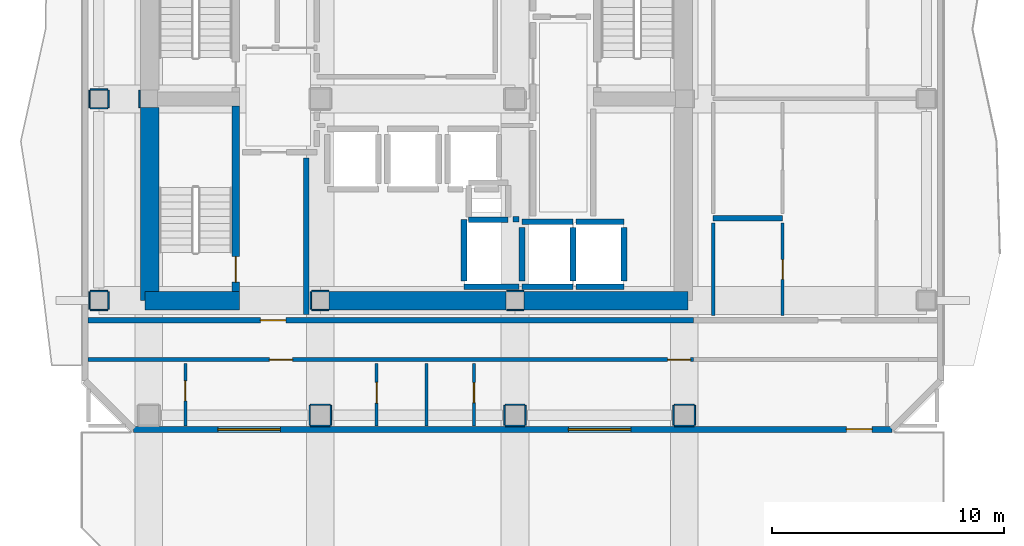
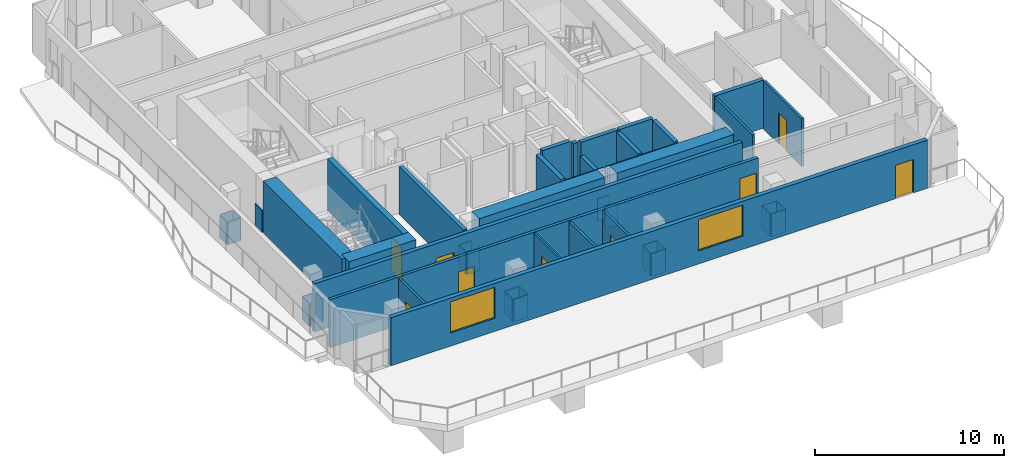
# One storey, part 2 of 9: 53 walls, 9 doors, 2 windows, 11 openings.
"""IFC4 building model written with IfcOpenShell, lengths in metres."""

from ifc_helpers import new_model, si_unit, direction, frame, frame_2d, origin, place, context, subcontext, project, spatial, rectangle, extrude, material, layer, layer_set, type_object, element, fill, save


model = new_model("IFC4")

# Units and contexts
model_context = context("Model", 3, precision=1e-05, world=origin(), true_north=direction((0.0, 1.0)))
body_context = subcontext(model_context, "Body", "Model", "MODEL_VIEW")
ifc_project = project(units=[si_unit("LENGTHUNIT", "METRE"), si_unit("AREAUNIT", "SQUARE_METRE"), si_unit("VOLUMEUNIT", "CUBIC_METRE"), si_unit("PLANEANGLEUNIT", "RADIAN"), si_unit("MASSUNIT", "GRAM", prefix="KILO")], contexts=[model_context])

# Site, building, storey
site_placement = place(None, origin())
site = spatial("IfcSite", under=ifc_project, at=site_placement, CompositionType="ELEMENT")
building_placement = place(site_placement, origin())
building = spatial("IfcBuilding", under=site, at=building_placement, Name="Solanera Arch Residences", CompositionType="ELEMENT")
storey_placement = place(building_placement, frame((0.0, 0.0, 231.280029296875)))
storey = spatial("IfcBuildingStorey", under=building, at=storey_placement, Name="L67", CompositionType="ELEMENT", Elevation=231.280029296875)

# Walls
ifc_material_1 = material(Name="Fire-Rated Gypsum Stud Partition", Category="gypsum")
ifc_layer_1 = layer(ifc_material_1, 0.06005859375)
ifc_layer_set_1 = layer_set([ifc_layer_1], Name="Fire-Rated Gypsum Stud Partition")
wall_type_1 = type_object("IfcWallType", Name="Column Acoustic Furring Wall 60", PredefinedType="PARTITIONING", material=ifc_layer_set_1)
for number, where, z_axis, x_axis, name in (
    (1, (20.425048828125, 21.593017578125, 0.0), (0.0, 0.0, 1.0), (1.0, 0.0, 0.0), "L67 Column Furring 1S"),
    (2, (20.425048828125, 22.406982421875, 0.0), (0.0, 0.0, 1.0), (1.0, 0.0, 0.0), "L67 Column Furring 1N"),
):
    element("IfcWall", number, at=place(storey_placement, frame(where, z_axis=z_axis, x_axis=x_axis)), inside=storey, type_object=wall_type_1, Name=name, PredefinedType="PARTITIONING", context=body_context, shape_type="SweptSolid", body=[
        extrude(rectangle(XDim=0.741943359375, YDim=0.06005859375, at=frame_2d((0.37109375, 0.0))), origin(), (0.0, 0.0, 1.0), 1.449951171875),
    ])
wall_1_placement = place(storey_placement, frame((20.39306640625, 21.625, 0.0), z_axis=(0.0, 0.0, 1.0), x_axis=(0.0, 1.0, 0.0)))
element("IfcWall", 3, at=wall_1_placement, inside=storey, type_object=wall_type_1, Name="L67 Column Furring 1W", PredefinedType="PARTITIONING", context=body_context, shape_type="SweptSolid", body=[
    extrude(rectangle(XDim=0.75, YDim=0.06005859375, at=frame_2d((0.375, 0.0))), origin(), (0.0, 0.0, 1.0), 1.449951171875),
])
for number, where, z_axis, x_axis, name in (
    (4, (28.8330078125, 21.593017578125, 0.0), (0.0, 0.0, 1.0), (1.0, 0.0, 0.0), "L67 Column Furring 2S"),
    (5, (28.8330078125, 22.406982421875, 0.0), (0.0, 0.0, 1.0), (1.0, 0.0, 0.0), "L67 Column Furring 2N"),
):
    element("IfcWall", number, at=place(storey_placement, frame(where, z_axis=z_axis, x_axis=x_axis)), inside=storey, type_object=wall_type_1, Name=name, PredefinedType="PARTITIONING", context=body_context, shape_type="SweptSolid", body=[
        extrude(rectangle(XDim=0.73388671875, YDim=0.06005859375, at=frame_2d((0.366943359375, 0.0))), origin(), (0.0, 0.0, 1.0), 1.449951171875),
    ])
wall_2_placement = place(storey_placement, frame((12.992919921875, 30.324951171875, 0.0), z_axis=(0.0, 0.0, 1.0), x_axis=(0.0, 1.0, 0.0)))
element("IfcWall", 6, at=wall_2_placement, inside=storey, type_object=wall_type_1, Name="L67 Column Furring 5W", PredefinedType="PARTITIONING", context=body_context, shape_type="SweptSolid", body=[
    extrude(rectangle(XDim=0.75, YDim=0.06005859375, at=frame_2d((0.375, 0.0))), origin(), (0.0, 0.0, 1.0), 1.449951171875),
])
for number, where, z_axis, x_axis, name in (
    (7, (20.375, 16.593017578125, 0.0), (0.0, 0.0, 1.0), (1.0, 0.0, 0.0), "L67 Column Furring 11S"),
    (8, (20.375, 17.507080078125, 0.0), (0.0, 0.0, 1.0), (1.0, 0.0, 0.0), "L67 Column Furring 11N"),
    (9, (20.343017578125, 16.625, 0.0), (0.0, 0.0, 1.0), (0.0, 1.0, 0.0), "L67 Column Furring 11W"),
    (10, (21.257080078125, 16.625, 0.0), (0.0, 0.0, 1.0), (0.0, 1.0, 0.0), "L67 Column Furring 11E"),
    (11, (28.77490234375, 16.593017578125, 0.0), (0.0, 0.0, 1.0), (1.0, 0.0, 0.0), "L67 Column Furring 13S"),
    (12, (28.77490234375, 17.507080078125, 0.0), (0.0, 0.0, 1.0), (1.0, 0.0, 0.0), "L67 Column Furring 13N"),
    (13, (28.742919921875, 16.625, 0.0), (0.0, 0.0, 1.0), (0.0, 1.0, 0.0), "L67 Column Furring 13W"),
    (14, (29.656982421875, 16.625, 0.0), (0.0, 0.0, 1.0), (0.0, 1.0, 0.0), "L67 Column Furring 13E"),
    (15, (36.074951171875, 16.593017578125, 0.0), (0.0, 0.0, 1.0), (1.0, 0.0, 0.0), "L67 Column Furring 15S"),
    (16, (36.074951171875, 17.507080078125, 0.0), (0.0, 0.0, 1.0), (1.0, 0.0, 0.0), "L67 Column Furring 15N"),
    (17, (36.04296875, 16.625, 0.0), (0.0, 0.0, 1.0), (0.0, 1.0, 0.0), "L67 Column Furring 15W"),
    (18, (36.95703125, 16.625, 0.0), (0.0, 0.0, 1.0), (0.0, 1.0, 0.0), "L67 Column Furring 15E"),
):
    element("IfcWall", number, at=place(storey_placement, frame(where, z_axis=z_axis, x_axis=x_axis)), inside=storey, type_object=wall_type_1, Name=name, PredefinedType="PARTITIONING", context=body_context, shape_type="SweptSolid", body=[
        extrude(rectangle(XDim=0.85009765625, YDim=0.06005859375, at=frame_2d((0.425048828125, 0.0))), origin(), (0.0, 0.0, 1.0), 1.449951171875),
    ])
for number, where, z_axis, x_axis, name in (
    (19, (10.875, 21.593017578125, 0.0), (0.0, 0.0, 1.0), (1.0, 0.0, 0.0), "L67 Column Furring 17S"),
    (20, (10.875, 22.406982421875, 0.0), (0.0, 0.0, 1.0), (1.0, 0.0, 0.0), "L67 Column Furring 17N"),
    (21, (10.843017578125, 21.625, 0.0), (0.0, 0.0, 1.0), (0.0, 1.0, 0.0), "L67 Column Furring 17W"),
    (22, (11.656982421875, 21.625, 0.0), (0.0, 0.0, 1.0), (0.0, 1.0, 0.0), "L67 Column Furring 17E"),
    (23, (10.875, 30.29296875, 0.0), (0.0, 0.0, 1.0), (1.0, 0.0, 0.0), "L67 Column Furring 19S"),
    (24, (10.875, 31.10693359375, 0.0), (0.0, 0.0, 1.0), (1.0, 0.0, 0.0), "L67 Column Furring 19N"),
    (25, (10.843017578125, 30.324951171875, 0.0), (0.0, 0.0, 1.0), (0.0, 1.0, 0.0), "L67 Column Furring 19W"),
    (26, (11.656982421875, 30.324951171875, 0.0), (0.0, 0.0, 1.0), (0.0, 1.0, 0.0), "L67 Column Furring 19E"),
):
    element("IfcWall", number, at=place(storey_placement, frame(where, z_axis=z_axis, x_axis=x_axis)), inside=storey, type_object=wall_type_1, Name=name, PredefinedType="PARTITIONING", context=body_context, shape_type="SweptSolid", body=[
        extrude(rectangle(XDim=0.75, YDim=0.06005859375, at=frame_2d((0.375, 0.0))), origin(), (0.0, 0.0, 1.0), 1.449951171875),
    ])

# Wall, opening, door
ifc_material_2 = material(Name="Concrete C40/50 (f'c = 45 MPa)", Category="concrete")
ifc_layer_2 = layer(ifc_material_2, 0.320068359375)
ifc_layer_set_2 = layer_set([ifc_layer_2], Name="Concrete C40/50 (f'c = 45 MPa)")
wall_type_2 = type_object("IfcWallType", Name="Core Shear Wall CW-320", PredefinedType="SHEAR", material=ifc_layer_set_2)
wall_3_placement = place(storey_placement, frame((17.159912109375, 22.39990234375, 0.0), z_axis=(0.0, 0.0, 1.0), x_axis=(0.0, 1.0, 0.0)))
wall_3 = element("IfcWall", 27, at=wall_3_placement, inside=storey, type_object=wall_type_2, Name="L67 Stair ST-T3 East Shear Wall", PredefinedType="SHEAR", context=body_context, shape_type="SweptSolid", body=[
    extrude(rectangle(XDim=8.0, YDim=0.320068359375, at=frame_2d((4.0, 0.0))), origin(), (0.0, 0.0, 1.0), 3.320068359375),
])
opening_1_placement = place(wall_3_placement, frame((0.389892578125, 0.0, 0.0)))
opening_1 = element("IfcOpeningElement", 28, at=opening_1_placement, cuts=wall_3, Name="Opening DF-01", PredefinedType="OPENING", context=body_context, shape_type="SweptSolid", body=[
    extrude(rectangle(XDim=1.10009765625, YDim=2.14990234375, at=frame_2d((0.550048828125, 1.074951171875))), frame((0.0, 0.169921875, 0.0), z_axis=(0.0, -1.0, 0.0), x_axis=(1.0, 0.0, 0.0)), (0.0, 0.0, 1.0), 0.3401),
])
ifc_material_3 = material(Name="Fire-Rated Architectural Hardwood", Category="wood")
door_type_1 = type_object("IfcDoorType", Name="Stair Exit Fire Door DF-01", OperationType="NOTDEFINED", PredefinedType="DOOR", material=ifc_material_3)
door_1_placement = place(opening_1_placement, origin())
door_1 = element("IfcDoor", 29, at=door_1_placement, inside=storey, type_object=door_type_1, Name="DR-L67-STAIR-ST-T3", OperationType="SINGLE_SWING_LEFT", OverallHeight=2.14990234375, OverallWidth=1.10009765625, PredefinedType="DOOR", context=body_context, shape_type="SweptSolid", body=[
    extrude(rectangle(XDim=1.10009765625, YDim=2.14990234375, at=frame_2d((0.550048828125, 1.074951171875))), frame((0.0, 0.02490234375, 0.0), z_axis=(0.0, -1.0, 0.0), x_axis=(1.0, 0.0, 0.0)), (0.0, 0.0, 1.0), 0.050048828125),
])
fill(opening_1, door_1)

# Walls
ifc_material_4 = material(Name="Concrete C40/50 (f'c = 45 MPa)", Category="concrete")
ifc_layer_3 = layer(ifc_material_4, 0.800048828125)
ifc_layer_set_3 = layer_set([ifc_layer_3], Name="Concrete C40/50 (f'c = 45 MPa)")
wall_type_3 = type_object("IfcWallType", Name="Core Shear Wall CW-800", PredefinedType="SHEAR", material=ifc_layer_set_3)
wall_4_placement = place(storey_placement, frame((13.43994140625, 22.0, 0.0), z_axis=(0.0, 0.0, 1.0), x_axis=(0.0, 1.0, 0.0)))
element("IfcWall", 30, at=wall_4_placement, inside=storey, type_object=wall_type_3, Name="L67 West Core South Shear Wall", PredefinedType="SHEAR", context=body_context, shape_type="SweptSolid", body=[
    extrude(rectangle(XDim=8.320068359375, YDim=0.800048828125, at=frame_2d((4.16015625, 0.0))), origin(), (0.0, 0.0, 1.0), 3.320068359375),
])
wall_5_placement = place(storey_placement, frame((13.239990234375, 22.0, 0.0), z_axis=(0.0, 0.0, 1.0), x_axis=(1.0, 0.0, 0.0)))
element("IfcWall", 31, at=wall_5_placement, inside=storey, type_object=wall_type_3, Name="L67 South-West Core Shear Wall", PredefinedType="SHEAR", context=body_context, shape_type="SweptSolid", body=[
    extrude(rectangle(XDim=4.080078125, YDim=0.800048828125, at=frame_2d((2.0400390625, 0.0))), origin(), (0.0, 0.0, 1.0), 3.320068359375),
])
wall_6_placement = place(storey_placement, frame((29.580078125, 22.0, 0.0), z_axis=(0.0, 0.0, 1.0), x_axis=(1.0, 0.0, 0.0)))
element("IfcWall", 32, at=wall_6_placement, inside=storey, type_object=wall_type_3, Name="L67 South-East Core Shear Wall", PredefinedType="SHEAR", context=body_context, shape_type="SweptSolid", body=[
    extrude(rectangle(XDim=7.079833984375, YDim=0.800048828125, at=frame_2d((3.5400390625, 0.0))), origin(), (0.0, 0.0, 1.0), 3.320068359375),
])
wall_7_placement = place(storey_placement, frame((21.179931640625, 22.0, 0.0), z_axis=(0.0, 0.0, 1.0), x_axis=(1.0, 0.0, 0.0)))
element("IfcWall", 33, at=wall_7_placement, inside=storey, type_object=wall_type_3, Name="L67 Central South Core Shear Wall", PredefinedType="SHEAR", context=body_context, shape_type="SweptSolid", body=[
    extrude(rectangle(XDim=7.64013671875, YDim=0.800048828125, at=frame_2d((3.820068359375, 0.0))), origin(), (0.0, 0.0, 1.0), 3.320068359375),
])

# Wall, openings, doors
ifc_material_5 = material(Name="Autoclaved Aerated Concrete Blockwork", Category="masonry")
ifc_layer_4 = layer(ifc_material_5, 0.179931640625)
ifc_layer_set_4 = layer_set([ifc_layer_4], Name="Autoclaved Aerated Concrete Blockwork")
wall_type_4 = type_object("IfcWallType", Name="Corridor Fire Partition 180", PredefinedType="PARTITIONING", material=ifc_layer_set_4)
wall_8_placement = place(storey_placement, frame((10.787109375, 19.449951171875, 0.0), z_axis=(0.0, 0.0, 1.0), x_axis=(1.0, 0.0, 0.0)))
wall_8 = element("IfcWall", 34, at=wall_8_placement, inside=storey, type_object=wall_type_4, Name="L67 Interior Partition H8 1", PredefinedType="PARTITIONING", context=body_context, shape_type="SweptSolid", body=[
    extrude(rectangle(XDim=26.101806640625, YDim=0.179931640625, at=frame_2d((13.05078125, 0.0))), origin(), (0.0, 0.0, 1.0), 3.099853515625),
])
opening_2_placement = place(wall_8_placement, frame((7.81689453125, 0.0, 0.0)))
opening_2 = element("IfcOpeningElement", 35, at=opening_2_placement, cuts=wall_8, Name="Opening DI-01", PredefinedType="OPENING", context=body_context, shape_type="SweptSolid", body=[
    extrude(rectangle(XDim=1.0, YDim=2.14990234375, at=frame_2d((0.5, 1.074951171875))), frame((0.0, 0.10009765625, 0.0), z_axis=(0.0, -1.0, 0.0), x_axis=(1.0, 0.0, 0.0)), (0.0, 0.0, 1.0), 0.1999),
])
opening_3_placement = place(wall_8_placement, frame((24.991943359375, 0.0, 0.0)))
opening_3 = element("IfcOpeningElement", 36, at=opening_3_placement, cuts=wall_8, Name="Opening DI-01", PredefinedType="OPENING", context=body_context, shape_type="SweptSolid", body=[
    extrude(rectangle(XDim=1.0, YDim=2.14990234375, at=frame_2d((0.5, 1.074951171875))), frame((0.0, 0.10009765625, 0.0), z_axis=(0.0, -1.0, 0.0), x_axis=(1.0, 0.0, 0.0)), (0.0, 0.0, 1.0), 0.1999),
])
ifc_material_6 = material(Name="Fire-Rated Architectural Hardwood", Category="wood")
door_type_2 = type_object("IfcDoorType", Name="Unit Entrance Fire Door DI-01", OperationType="NOTDEFINED", PredefinedType="DOOR", material=ifc_material_6)
door_2_placement = place(opening_2_placement, origin())
door_2 = element("IfcDoor", 37, at=door_2_placement, inside=storey, type_object=door_type_2, Name="DR-L67-IN-014", OperationType="SINGLE_SWING_RIGHT", OverallHeight=2.14990234375, OverallWidth=1.0, PredefinedType="DOOR", context=body_context, shape_type="SweptSolid", body=[
    extrude(rectangle(XDim=1.0, YDim=2.14990234375, at=frame_2d((0.5, 1.074951171875))), frame((0.0, 0.02490234375, 0.0), z_axis=(0.0, -1.0, 0.0), x_axis=(1.0, 0.0, 0.0)), (0.0, 0.0, 1.0), 0.050048828125),
])
fill(opening_2, door_2)
door_3_placement = place(opening_3_placement, origin())
door_3 = element("IfcDoor", 38, at=door_3_placement, inside=storey, type_object=door_type_2, Name="DR-L67-IN-017", OperationType="SINGLE_SWING_LEFT", OverallHeight=2.14990234375, OverallWidth=1.0, PredefinedType="DOOR", context=body_context, shape_type="SweptSolid", body=[
    extrude(rectangle(XDim=1.0, YDim=2.14990234375, at=frame_2d((0.5, 1.074951171875))), frame((0.0, 0.02490234375, 0.0), z_axis=(0.0, -1.0, 0.0), x_axis=(1.0, 0.0, 0.0)), (0.0, 0.0, 1.0), 0.050048828125),
])
fill(opening_3, door_3)

# Wall, openings, door, windows
ifc_material_7 = material(Name="Precast Concrete C35/45", Category="concrete")
ifc_layer_5 = layer(ifc_material_7, 0.260009765625)
ifc_layer_set_5 = layer_set([ifc_layer_5], Name="Precast Concrete C35/45")
wall_type_5 = type_object("IfcWallType", Name="Exterior Wall Precast Masonry-Frame 260", PredefinedType="STANDARD", material=ifc_layer_set_5)
wall_9_placement = place(storey_placement, frame((45.455078125, 16.445068359375, 0.0), z_axis=(0.0, 0.0, 1.0), x_axis=(-1.0, 0.0, 0.0)))
wall_9 = element("IfcWall", 39, at=wall_9_placement, inside=storey, type_object=wall_type_5, Name="L67 Tower Exterior Precast Masonry-Frame Wall S", PredefinedType="STANDARD", context=body_context, shape_type="SweptSolid", body=[
    extrude(rectangle(XDim=32.7099609375, YDim=0.260009765625, at=frame_2d((16.35498046875, 0.0))), origin(), (0.0, 0.0, 1.0), 3.099853515625),
])
opening_4_placement = place(wall_9_placement, frame((0.85693359375, 0.0, 0.0)))
opening_4 = element("IfcOpeningElement", 40, at=opening_4_placement, cuts=wall_9, Name="Opening DB-02", PredefinedType="OPENING", context=body_context, shape_type="SweptSolid", body=[
    extrude(rectangle(XDim=1.10009765625, YDim=2.14990234375, at=frame_2d((0.550048828125, 1.074951171875))), frame((0.0, 0.139892578125, 0.0), z_axis=(0.0, -1.0, 0.0), x_axis=(1.0, 0.0, 0.0)), (0.0, 0.0, 1.0), 0.28),
])
opening_5_placement = place(wall_9_placement, frame((26.376953125, 0.0, 0.85009765625)))
opening_5 = element("IfcOpeningElement", 41, at=opening_5_placement, cuts=wall_9, Name="Opening W-09", PredefinedType="OPENING", context=body_context, shape_type="SweptSolid", body=[
    extrude(rectangle(XDim=2.699951171875, YDim=2.0, at=frame_2d((1.35009765625, 1.0))), frame((0.0, 0.139892578125, 0.0), z_axis=(0.0, -1.0, 0.0), x_axis=(1.0, 0.0, 0.0)), (0.0, 0.0, 1.0), 0.28),
])
opening_6_placement = place(wall_9_placement, frame((11.2548828125, 0.0, 0.85009765625)))
opening_6 = element("IfcOpeningElement", 42, at=opening_6_placement, cuts=wall_9, Name="Opening W-09", PredefinedType="OPENING", context=body_context, shape_type="SweptSolid", body=[
    extrude(rectangle(XDim=2.699951171875, YDim=2.0, at=frame_2d((1.35009765625, 1.0))), frame((0.0, 0.139892578125, 0.0), z_axis=(0.0, -1.0, 0.0), x_axis=(1.0, 0.0, 0.0)), (0.0, 0.0, 1.0), 0.28),
])
ifc_material_8 = material(Name="Anodised Aluminium Alloy 6063-T6", Category="aluminium")
door_type_3 = type_object("IfcDoorType", Name="Glazed Terrace Swing Door DB-02", OperationType="NOTDEFINED", PredefinedType="DOOR", material=ifc_material_8)
door_4_placement = place(opening_4_placement, origin())
door_4 = element("IfcDoor", 43, at=door_4_placement, inside=storey, type_object=door_type_3, Name="DR-L67-OUT-01", OperationType="SINGLE_SWING_LEFT", OverallHeight=2.14990234375, OverallWidth=1.10009765625, PredefinedType="DOOR", context=body_context, shape_type="SweptSolid", body=[
    extrude(rectangle(XDim=1.10009765625, YDim=2.14990234375, at=frame_2d((0.550048828125, 1.074951171875))), frame((0.0, 0.02490234375, 0.0), z_axis=(0.0, -1.0, 0.0), x_axis=(1.0, 0.0, 0.0)), (0.0, 0.0, 1.0), 0.050048828125),
])
fill(opening_4, door_4)
ifc_material_9 = material(Name="Double Glazed Low-E Laminated Glass", Category="glass")
window_type = type_object("IfcWindowType", Name="Punched Window W-09", PartitioningType="TRIPLE_PANEL_VERTICAL", PredefinedType="WINDOW", material=ifc_material_9)
window_1_placement = place(opening_5_placement, origin())
window_1 = element("IfcWindow", 44, at=window_1_placement, inside=storey, type_object=window_type, Name="L67 6701-LIV Punched Window", OverallHeight=2.0, OverallWidth=2.699951171875, PartitioningType="SINGLE_PANEL", PredefinedType="WINDOW", context=body_context, shape_type="SweptSolid", body=[
    extrude(rectangle(XDim=2.699951171875, YDim=2.0, at=frame_2d((1.35009765625, 1.0))), frame((0.0, 0.030029296875, 0.0), z_axis=(0.0, -1.0, 0.0), x_axis=(1.0, 0.0, 0.0)), (0.0, 0.0, 1.0), 0.06005859375),
])
fill(opening_5, window_1)
window_2_placement = place(opening_6_placement, origin())
window_2 = element("IfcWindow", 45, at=window_2_placement, inside=storey, type_object=window_type, Name="L67 6702-LIV Punched Window", OverallHeight=2.0, OverallWidth=2.699951171875, PartitioningType="SINGLE_PANEL", PredefinedType="WINDOW", context=body_context, shape_type="SweptSolid", body=[
    extrude(rectangle(XDim=2.699951171875, YDim=2.0, at=frame_2d((1.35009765625, 1.0))), frame((0.0, 0.030029296875, 0.0), z_axis=(0.0, -1.0, 0.0), x_axis=(1.0, 0.0, 0.0)), (0.0, 0.0, 1.0), 0.06005859375),
])
fill(opening_6, window_2)

# Walls
ifc_material_10 = material(Name="Concrete C40/50 (f'c = 45 MPa)", Category="concrete")
ifc_layer_6 = layer(ifc_material_10, 0.239990234375)
ifc_layer_set_6 = layer_set([ifc_layer_6], Name="Concrete C40/50 (f'c = 45 MPa)")
wall_type_6 = type_object("IfcWallType", Name="Ramp Bearing Shear Wall RW-240", PredefinedType="SHEAR", material=ifc_layer_set_6)
wall_10_placement = place(storey_placement, frame((27.199951171875, 25.47998046875, 0.0), z_axis=(0.0, 0.0, 1.0), x_axis=(1.0, 0.0, 0.0)))
element("IfcWall", 46, at=wall_10_placement, inside=storey, type_object=wall_type_6, Name="L67 Core MEP Riser South Shaft Wall", PredefinedType="SHEAR", context=body_context, shape_type="SweptSolid", body=[
    extrude(rectangle(XDim=1.699951171875, YDim=0.239990234375, at=frame_2d((0.85009765625, 0.0))), origin(), (0.0, 0.0, 1.0), 3.320068359375),
])
ifc_material_11 = material(Name="Autoclaved Aerated Concrete Blockwork", Category="masonry")
ifc_layer_7 = layer(ifc_material_11, 0.239990234375)
ifc_layer_set_7 = layer_set([ifc_layer_7], Name="Autoclaved Aerated Concrete Blockwork")
wall_type_7 = type_object("IfcWallType", Name="Shaft Wall Fire-Rated 240", PredefinedType="PARTITIONING", material=ifc_layer_set_7)
for number, where, z_axis, x_axis, name in (
    (47, (29.5, 22.60009765625, 0.0), (0.0, 0.0, 1.0), (1.0, 0.0, 0.0), "L67 Lift FFL-1 Hoistway Wall S"),
    (48, (29.5, 25.39990234375, 0.0), (0.0, 0.0, 1.0), (1.0, 0.0, 0.0), "L67 Lift FFL-1 Hoistway Wall N"),
):
    element("IfcWall", number, at=place(storey_placement, frame(where, z_axis=z_axis, x_axis=x_axis)), inside=storey, type_object=wall_type_7, Name=name, PredefinedType="PARTITIONING", context=body_context, shape_type="SweptSolid", body=[
        extrude(rectangle(XDim=2.199951171875, YDim=0.239990234375, at=frame_2d((1.10009765625, 0.0))), origin(), (0.0, 0.0, 1.0), 3.099853515625),
    ])
wall_11_placement = place(storey_placement, frame((29.5, 22.847900390625, 0.0), z_axis=(0.0, 0.0, 1.0), x_axis=(0.0, 1.0, 0.0)))
element("IfcWall", 49, at=wall_11_placement, inside=storey, type_object=wall_type_7, Name="L67 Lift FFL-1 Hoistway Wall W", PredefinedType="PARTITIONING", context=body_context, shape_type="SweptSolid", body=[
    extrude(rectangle(XDim=2.30419921875, YDim=0.239990234375, at=frame_2d((1.152099609375, 0.0))), origin(), (0.0, 0.0, 1.0), 2.3349609375),
])
wall_12_placement = place(storey_placement, frame((31.699951171875, 22.847900390625, 0.0), z_axis=(0.0, 0.0, 1.0), x_axis=(0.0, 1.0, 0.0)))
element("IfcWall", 50, at=wall_12_placement, inside=storey, type_object=wall_type_7, Name="L67 Lift FFL-1 Hoistway Wall E", PredefinedType="PARTITIONING", context=body_context, shape_type="SweptSolid", body=[
    extrude(rectangle(XDim=2.30419921875, YDim=0.239990234375, at=frame_2d((1.152099609375, 0.0))), origin(), (0.0, 0.0, 1.0), 3.099853515625),
])
for number, where, z_axis, x_axis, name in (
    (51, (31.827880859375, 22.60009765625, 0.0), (0.0, 0.0, 1.0), (1.0, 0.0, 0.0), "L67 Lift FFL-2 Hoistway Wall S"),
    (52, (31.827880859375, 25.39990234375, 0.0), (0.0, 0.0, 1.0), (1.0, 0.0, 0.0), "L67 Lift FFL-2 Hoistway Wall N"),
):
    element("IfcWall", number, at=place(storey_placement, frame(where, z_axis=z_axis, x_axis=x_axis)), inside=storey, type_object=wall_type_7, Name=name, PredefinedType="PARTITIONING", context=body_context, shape_type="SweptSolid", body=[
        extrude(rectangle(XDim=2.072021484375, YDim=0.239990234375, at=frame_2d((1.0361328125, 0.0))), origin(), (0.0, 0.0, 1.0), 3.099853515625),
    ])
wall_13_placement = place(storey_placement, frame((33.89990234375, 22.847900390625, 0.0), z_axis=(0.0, 0.0, 1.0), x_axis=(0.0, 1.0, 0.0)))
element("IfcWall", 53, at=wall_13_placement, inside=storey, type_object=wall_type_7, Name="L67 Lift FFL-2 Hoistway Wall E", PredefinedType="PARTITIONING", context=body_context, shape_type="SweptSolid", body=[
    extrude(rectangle(XDim=2.30419921875, YDim=0.239990234375, at=frame_2d((1.152099609375, 0.0))), origin(), (0.0, 0.0, 1.0), 3.099853515625),
])
wall_14_placement = place(storey_placement, frame((27.0, 22.60009765625, 0.0), z_axis=(0.0, 0.0, 1.0), x_axis=(1.0, 0.0, 0.0)))
element("IfcWall", 54, at=wall_14_placement, inside=storey, type_object=wall_type_7, Name="L67 Lift SVL-1 Hoistway Wall S", PredefinedType="PARTITIONING", context=body_context, shape_type="SweptSolid", body=[
    extrude(rectangle(XDim=2.3720703125, YDim=0.239990234375, at=frame_2d((1.18603515625, 0.0))), origin(), (0.0, 0.0, 1.0), 3.099853515625),
])
wall_15_placement = place(storey_placement, frame((29.10302734375, 25.5, 0.0), z_axis=(0.0, 0.0, 1.0), x_axis=(1.0, 0.0, 0.0)))
element("IfcWall", 55, at=wall_15_placement, inside=storey, type_object=wall_type_7, Name="L67 Lift SVL-1 Hoistway Wall N", PredefinedType="PARTITIONING", context=body_context, shape_type="SweptSolid", body=[
    extrude(rectangle(XDim=0.26904296875, YDim=0.239990234375, at=frame_2d((0.134521484375, 0.0))), origin(), (0.0, 0.0, 1.0), 3.099853515625),
])
wall_16_placement = place(storey_placement, frame((27.0, 22.847900390625, 0.0), z_axis=(0.0, 0.0, 1.0), x_axis=(0.0, 1.0, 0.0)))
element("IfcWall", 56, at=wall_16_placement, inside=storey, type_object=wall_type_7, Name="L67 Lift SVL-1 Hoistway Wall W", PredefinedType="PARTITIONING", context=body_context, shape_type="SweptSolid", body=[
    extrude(rectangle(XDim=2.650146484375, YDim=0.239990234375, at=frame_2d((1.3251953125, 0.0))), origin(), (0.0, 0.0, 1.0), 3.099853515625),
])

# Wall, opening, door
wall_17_placement = place(storey_placement, frame((10.787109375, 21.14990234375, 0.0), z_axis=(0.0, 0.0, 1.0), x_axis=(1.0, 0.0, 0.0)))
wall_17 = element("IfcWall", 57, at=wall_17_placement, inside=storey, type_object=wall_type_7, Name="L67 Interior Partition H1 1", PredefinedType="PARTITIONING", context=body_context, shape_type="SweptSolid", body=[
    extrude(rectangle(XDim=26.101806640625, YDim=0.239990234375, at=frame_2d((13.05078125, 0.0))), origin(), (0.0, 0.0, 1.0), 3.099853515625),
])
opening_7_placement = place(wall_17_placement, frame((7.423095703125, 0.0, 0.0)))
opening_7 = element("IfcOpeningElement", 58, at=opening_7_placement, cuts=wall_17, Name="Opening DF-02", PredefinedType="OPENING", context=body_context, shape_type="SweptSolid", body=[
    extrude(rectangle(XDim=1.10009765625, YDim=2.14990234375, at=frame_2d((0.550048828125, 1.074951171875))), frame((0.0, 0.1298828125, 0.0), z_axis=(0.0, -1.0, 0.0), x_axis=(1.0, 0.0, 0.0)), (0.0, 0.0, 1.0), 0.26),
])
ifc_material_12 = material(Name="Fire-Rated Architectural Hardwood", Category="wood")
door_type_4 = type_object("IfcDoorType", Name="Firefighting Lobby Fire Door DF-02", OperationType="NOTDEFINED", PredefinedType="DOOR", material=ifc_material_12)
door_5_placement = place(opening_7_placement, origin())
door_5 = element("IfcDoor", 59, at=door_5_placement, inside=storey, type_object=door_type_4, Name="DR-L67-IN-008", OperationType="SINGLE_SWING_RIGHT", OverallHeight=2.14990234375, OverallWidth=1.10009765625, PredefinedType="DOOR", context=body_context, shape_type="SweptSolid", body=[
    extrude(rectangle(XDim=1.10009765625, YDim=2.14990234375, at=frame_2d((0.550048828125, 1.074951171875))), frame((0.0, 0.02490234375, 0.0), z_axis=(0.0, -1.0, 0.0), x_axis=(1.0, 0.0, 0.0)), (0.0, 0.0, 1.0), 0.050048828125),
])
fill(opening_7, door_5)

# Walls
wall_18_placement = place(storey_placement, frame((37.75, 25.550048828125, 0.0), z_axis=(0.0, 0.0, 1.0), x_axis=(1.0, 0.0, 0.0)))
element("IfcWall", 60, at=wall_18_placement, inside=storey, type_object=wall_type_7, Name="L67 Interior Partition H3", PredefinedType="PARTITIONING", context=body_context, shape_type="SweptSolid", body=[
    extrude(rectangle(XDim=2.991943359375, YDim=0.239990234375, at=frame_2d((1.49609375, 0.0))), origin(), (0.0, 0.0, 1.0), 3.099853515625),
])
wall_19_placement = place(storey_placement, frame((20.199951171875, 21.39794921875, 0.0), z_axis=(0.0, 0.0, 1.0), x_axis=(0.0, 1.0, 0.0)))
element("IfcWall", 61, at=wall_19_placement, inside=storey, type_object=wall_type_7, Name="L67 Interior Partition V2", PredefinedType="PARTITIONING", context=body_context, shape_type="SweptSolid", body=[
    extrude(rectangle(XDim=6.754150390625, YDim=0.239990234375, at=frame_2d((3.376953125, 0.0))), origin(), (0.0, 0.0, 1.0), 3.099853515625),
])

# Wall, opening, door
ifc_material_13 = material(Name="Fire-Rated Gypsum Stud Partition", Category="gypsum")
ifc_layer_8 = layer(ifc_material_13, 0.1201171875)
ifc_layer_set_8 = layer_set([ifc_layer_8], Name="Fire-Rated Gypsum Stud Partition")
wall_type_8 = type_object("IfcWallType", Name="Unit Drywall Partition 120", PredefinedType="PARTITIONING", material=ifc_layer_set_8)
wall_20_placement = place(storey_placement, frame((23.22802734375, 16.5869140625, 0.0), z_axis=(0.0, 0.0, 1.0), x_axis=(0.0, 1.0, 0.0)))
wall_20 = element("IfcWall", 62, at=wall_20_placement, inside=storey, type_object=wall_type_8, Name="L67 Interior Partition V21", PredefinedType="PARTITIONING", context=body_context, shape_type="SweptSolid", body=[
    extrude(rectangle(XDim=2.705078125, YDim=0.1201171875, at=frame_2d((1.3525390625, 0.0))), origin(), (0.0, 0.0, 1.0), 3.099853515625),
])
opening_8_placement = place(wall_20_placement, frame((0.988037109375, 0.0, 0.0)))
opening_8 = element("IfcOpeningElement", 63, at=opening_8_placement, cuts=wall_20, Name="Opening DI-02", PredefinedType="OPENING", context=body_context, shape_type="SweptSolid", body=[
    extrude(rectangle(XDim=0.89990234375, YDim=2.10009765625, at=frame_2d((0.449951171875, 1.050048828125))), frame((0.0, 0.070068359375, 0.0), z_axis=(0.0, -1.0, 0.0), x_axis=(1.0, 0.0, 0.0)), (0.0, 0.0, 1.0), 0.1401),
])
ifc_material_14 = material(Name="Fire-Rated Architectural Hardwood", Category="wood")
door_type_5 = type_object("IfcDoorType", Name="Suite Room Swing Door DI-02", OperationType="NOTDEFINED", PredefinedType="DOOR", material=ifc_material_14)
door_6_placement = place(opening_8_placement, origin())
door_6 = element("IfcDoor", 64, at=door_6_placement, inside=storey, type_object=door_type_5, Name="DR-L67-IN-016", OperationType="SINGLE_SWING_RIGHT", OverallHeight=2.10009765625, OverallWidth=0.89990234375, PredefinedType="DOOR", context=body_context, shape_type="SweptSolid", body=[
    extrude(rectangle(XDim=0.89990234375, YDim=2.10009765625, at=frame_2d((0.449951171875, 1.050048828125))), frame((0.0, 0.02490234375, 0.0), z_axis=(0.0, -1.0, 0.0), x_axis=(1.0, 0.0, 0.0)), (0.0, 0.0, 1.0), 0.050048828125),
])
fill(opening_8, door_6)

ifc_material_15 = material(Name="Autoclaved Aerated Concrete Blockwork", Category="masonry")
ifc_layer_9 = layer(ifc_material_15, 0.139892578125)
ifc_layer_set_9 = layer_set([ifc_layer_9], Name="Autoclaved Aerated Concrete Blockwork")
wall_type_9 = type_object("IfcWallType", Name="Wet-Room Partition 140", PredefinedType="PARTITIONING", material=ifc_layer_set_9)
wall_21_placement = place(storey_placement, frame((14.97998046875, 16.5869140625, 0.0), z_axis=(0.0, 0.0, 1.0), x_axis=(0.0, 1.0, 0.0)))
wall_21 = element("IfcWall", 65, at=wall_21_placement, inside=storey, type_object=wall_type_9, Name="L67 Interior Partition V12", PredefinedType="PARTITIONING", context=body_context, shape_type="SweptSolid", body=[
    extrude(rectangle(XDim=2.695068359375, YDim=0.139892578125, at=frame_2d((1.34765625, 0.0))), origin(), (0.0, 0.0, 1.0), 3.099853515625),
])
opening_9_placement = place(wall_21_placement, frame((1.087890625, 0.0, 0.0)))
opening_9 = element("IfcOpeningElement", 66, at=opening_9_placement, cuts=wall_21, Name="Opening DI-05", PredefinedType="OPENING", context=body_context, shape_type="SweptSolid", body=[
    extrude(rectangle(XDim=0.860107421875, YDim=2.02001953125, at=frame_2d((0.43017578125, 1.010009765625))), frame((0.0, 0.079833984375, 0.0), z_axis=(0.0, -1.0, 0.0), x_axis=(1.0, 0.0, 0.0)), (0.0, 0.0, 1.0), 0.1599),
])
ifc_material_16 = material(Name="Fire-Rated Architectural Hardwood", Category="wood")
door_type_6 = type_object("IfcDoorType", Name="Bathroom Swing Door DI-05", OperationType="NOTDEFINED", PredefinedType="DOOR", material=ifc_material_16)
door_7_placement = place(opening_9_placement, origin())
door_7 = element("IfcDoor", 67, at=door_7_placement, inside=storey, type_object=door_type_6, Name="DR-L67-IN-015", OperationType="SINGLE_SWING_LEFT", OverallHeight=2.02001953125, OverallWidth=0.860107421875, PredefinedType="DOOR", context=body_context, shape_type="SweptSolid", body=[
    extrude(rectangle(XDim=0.860107421875, YDim=2.02001953125, at=frame_2d((0.43017578125, 1.010009765625))), frame((0.0, 0.02490234375, 0.0), z_axis=(0.0, -1.0, 0.0), x_axis=(1.0, 0.0, 0.0)), (0.0, 0.0, 1.0), 0.050048828125),
])
fill(opening_9, door_7)

# Wall
wall_22_placement = place(storey_placement, frame((25.3779296875, 16.5869140625, 0.0), z_axis=(0.0, 0.0, 1.0), x_axis=(0.0, 1.0, 0.0)))
element("IfcWall", 68, at=wall_22_placement, inside=storey, type_object=wall_type_9, Name="L67 Interior Partition V14", PredefinedType="PARTITIONING", context=body_context, shape_type="SweptSolid", body=[
    extrude(rectangle(XDim=2.695068359375, YDim=0.139892578125, at=frame_2d((1.34765625, 0.0))), origin(), (0.0, 0.0, 1.0), 3.099853515625),
])

# Wall, opening, door
wall_23_placement = place(storey_placement, frame((27.427978515625, 16.5869140625, 0.0), z_axis=(0.0, 0.0, 1.0), x_axis=(0.0, 1.0, 0.0)))
wall_23 = element("IfcWall", 69, at=wall_23_placement, inside=storey, type_object=wall_type_9, Name="L67 Interior Partition V15", PredefinedType="PARTITIONING", context=body_context, shape_type="SweptSolid", body=[
    extrude(rectangle(XDim=2.695068359375, YDim=0.139892578125, at=frame_2d((1.34765625, 0.0))), origin(), (0.0, 0.0, 1.0), 3.099853515625),
])
opening_10_placement = place(wall_23_placement, frame((1.008056640625, 0.0, 0.0)))
opening_10 = element("IfcOpeningElement", 70, at=opening_10_placement, cuts=wall_23, Name="Opening DI-05", PredefinedType="OPENING", context=body_context, shape_type="SweptSolid", body=[
    extrude(rectangle(XDim=0.860107421875, YDim=2.02001953125, at=frame_2d((0.43017578125, 1.010009765625))), frame((0.0, 0.079833984375, 0.0), z_axis=(0.0, -1.0, 0.0), x_axis=(1.0, 0.0, 0.0)), (0.0, 0.0, 1.0), 0.1599),
])
door_8_placement = place(opening_10_placement, origin())
door_8 = element("IfcDoor", 71, at=door_8_placement, inside=storey, type_object=door_type_6, Name="DR-L67-IN-018", OperationType="SINGLE_SWING_RIGHT", OverallHeight=2.02001953125, OverallWidth=0.860107421875, PredefinedType="DOOR", context=body_context, shape_type="SweptSolid", body=[
    extrude(rectangle(XDim=0.860107421875, YDim=2.02001953125, at=frame_2d((0.43017578125, 1.010009765625))), frame((0.0, 0.02490234375, 0.0), z_axis=(0.0, -1.0, 0.0), x_axis=(1.0, 0.0, 0.0)), (0.0, 0.0, 1.0), 0.050048828125),
])
fill(opening_10, door_8)

# Wall
wall_24_placement = place(storey_placement, frame((37.75, 21.347900390625, 0.0), z_axis=(0.0, 0.0, 1.0), x_axis=(0.0, 1.0, 0.0)))
element("IfcWall", 72, at=wall_24_placement, inside=storey, type_object=wall_type_9, Name="L67 Interior Partition V17 1", PredefinedType="PARTITIONING", context=body_context, shape_type="SweptSolid", body=[
    extrude(rectangle(XDim=4.004150390625, YDim=0.139892578125, at=frame_2d((2.001953125, 0.0))), origin(), (0.0, 0.0, 1.0), 3.099853515625),
])

# Wall, opening, door
wall_25_placement = place(storey_placement, frame((40.741943359375, 21.347900390625, 0.0), z_axis=(0.0, 0.0, 1.0), x_axis=(0.0, 1.0, 0.0)))
wall_25 = element("IfcWall", 73, at=wall_25_placement, inside=storey, type_object=wall_type_9, Name="L67 Interior Partition V18 1", PredefinedType="PARTITIONING", context=body_context, shape_type="SweptSolid", body=[
    extrude(rectangle(XDim=4.004150390625, YDim=0.139892578125, at=frame_2d((2.001953125, 0.0))), origin(), (0.0, 0.0, 1.0), 3.099853515625),
])
opening_11_placement = place(wall_25_placement, frame((1.56005859375, 0.0, 0.0)))
opening_11 = element("IfcOpeningElement", 74, at=opening_11_placement, cuts=wall_25, Name="Opening DI-05", PredefinedType="OPENING", context=body_context, shape_type="SweptSolid", body=[
    extrude(rectangle(XDim=0.860107421875, YDim=2.02001953125, at=frame_2d((0.43017578125, 1.010009765625))), frame((0.0, 0.079833984375, 0.0), z_axis=(0.0, -1.0, 0.0), x_axis=(1.0, 0.0, 0.0)), (0.0, 0.0, 1.0), 0.1599),
])
door_9_placement = place(opening_11_placement, origin())
door_9 = element("IfcDoor", 75, at=door_9_placement, inside=storey, type_object=door_type_6, Name="DR-L67-IN-029", OperationType="SINGLE_SWING_LEFT", OverallHeight=2.02001953125, OverallWidth=0.860107421875, PredefinedType="DOOR", context=body_context, shape_type="SweptSolid", body=[
    extrude(rectangle(XDim=0.860107421875, YDim=2.02001953125, at=frame_2d((0.43017578125, 1.010009765625))), frame((0.0, 0.02490234375, 0.0), z_axis=(0.0, -1.0, 0.0), x_axis=(1.0, 0.0, 0.0)), (0.0, 0.0, 1.0), 0.050048828125),
])
fill(opening_11, door_9)

save(model, "model.ifc")
